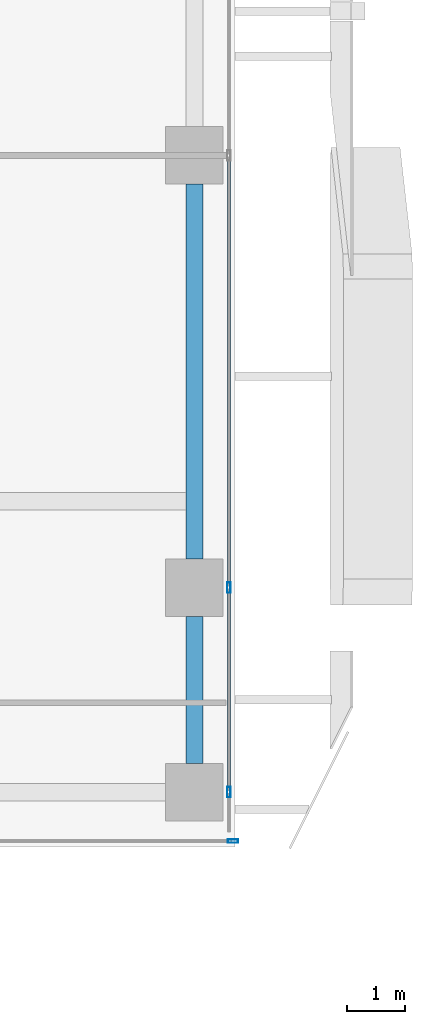
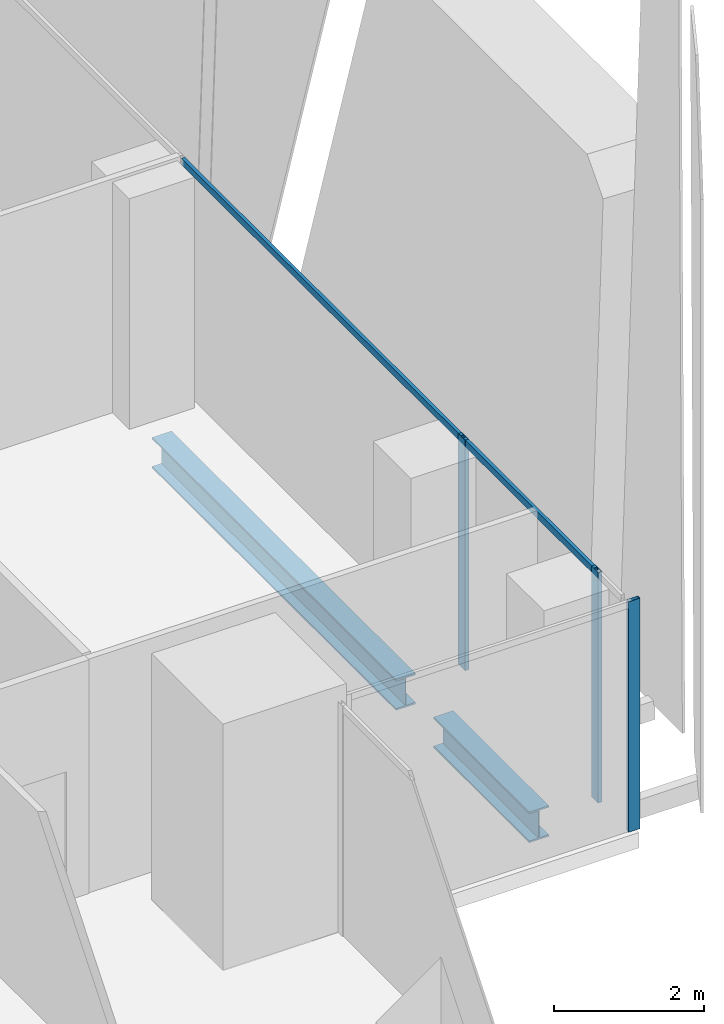
# One storey, part 11 of 35: 5 members, 2 beams, 2 elements without a shape of their own.
"""IFC4 building model written with IfcOpenShell, lengths in metres."""

from ifc_helpers import new_model, si_unit, direction, frame, origin, origin_2d, place, context, subcontext, project, spatial, hollow_rectangle, i_section, extrude, source, transform, mapped, material, material_profile, profile_set, type_object, element, aggregate, save


model = new_model("IFC4")

# Units and contexts
model_context = context("Model", 3, precision=1e-05, world=origin(), true_north=direction((0.0, 1.0)))
body_context = subcontext(model_context, "Body", "Model", "MODEL_VIEW")
ifc_project = project(units=[si_unit("LENGTHUNIT", "METRE"), si_unit("AREAUNIT", "SQUARE_METRE"), si_unit("VOLUMEUNIT", "CUBIC_METRE"), si_unit("PLANEANGLEUNIT", "RADIAN"), si_unit("MASSUNIT", "GRAM", prefix="KILO")], contexts=[model_context])

# Site, building, storey
site_placement = place(None, origin())
site = spatial("IfcSite", under=ifc_project, at=site_placement, CompositionType="ELEMENT")
building_placement = place(site_placement, origin())
building = spatial("IfcBuilding", under=site, at=building_placement, Name="Khomas Fold Tower", CompositionType="ELEMENT")
storey_placement = place(building_placement, frame((0.0, 0.0, 188.699951171875)))
storey = spatial("IfcBuildingStorey", under=building, at=storey_placement, Name="L41", CompositionType="ELEMENT", Elevation=188.699951171875)

# Beams
ifc_material_1 = material(Name="Steel S355", Category="steel")
ifc_material_profile_1 = material_profile(ifc_material_1, i_section(OverallWidth=0.300048828125, OverallDepth=0.5, WebThickness=0.014404296875, FlangeThickness=0.028076171875, at=origin_2d()), Name="HE 500 B")
ifc_profile_set_1 = profile_set([ifc_material_profile_1], Name="Steel S355")
beam_type = type_object("IfcBeamType", Name="HE 500 B spandrel SB3", PredefinedType="SPANDREL", material=ifc_profile_set_1)
shared_shape_1 = source(origin(), body_context, "Body", "SweptSolid", [
    extrude(i_section(OverallWidth=0.300048828125, OverallDepth=0.5, WebThickness=0.014404296875, FlangeThickness=0.028076171875, at=origin_2d()), origin(), (0.0, 0.0, 1.0), 2.550048828125),
])
beam_1_placement = place(storey_placement, frame((50.300048828125, 8.949951171875, -0.5), z_axis=(0.0, 1.0, 0.0), x_axis=(-1.0, 0.0, 0.0)))
element("IfcBeam", 1, at=beam_1_placement, inside=storey, type_object=beam_type, Name="SB3", PredefinedType="SPANDREL", context=body_context, shape_type="MappedRepresentation", body=[
    mapped(shared_shape_1, transform((0.0, 0.0, 0.0))),
])
shared_shape_2 = source(origin(), body_context, "Body", "SweptSolid", [
    extrude(i_section(OverallWidth=0.300048828125, OverallDepth=0.5, WebThickness=0.014404296875, FlangeThickness=0.028076171875, at=origin_2d()), origin(), (0.0, 0.0, 1.0), 6.5),
])
beam_2_placement = place(storey_placement, frame((50.300048828125, 12.5, -0.5), z_axis=(0.0, 1.0, 0.0), x_axis=(-1.0, 0.0, 0.0)))
element("IfcBeam", 2, at=beam_2_placement, inside=storey, type_object=beam_type, Name="SB3", PredefinedType="SPANDREL", context=body_context, shape_type="MappedRepresentation", body=[
    mapped(shared_shape_2, transform((0.0, 0.0, 0.0))),
])

# Curtain wall, member
ifc_material_2 = material(Name="Aluminium framed double glazing", Category="aluminium")
curtain_wall_type = type_object("IfcCurtainWallType", Name="SK-Unitised clear-glass wall, office floors CW2", PredefinedType="NOTDEFINED", material=ifc_material_2)
curtain_wall_1_placement = place(storey_placement, origin())
curtain_wall_1 = element("IfcCurtainWall", 3, at=curtain_wall_1_placement, inside=storey, type_object=curtain_wall_type, Name="CW2 corner return L41 02", PredefinedType="NOTDEFINED")
ifc_material_3 = material(Name="Aluminium", Category="aluminium")
ifc_material_profile_2 = material_profile(ifc_material_3, hollow_rectangle(XDim=0.06005859375, YDim=0.179931640625, WallThickness=0.00390625, at=origin_2d()), Name="SK-Unitised clear-glass wall, office floors mullion CW2-M")
ifc_profile_set_2 = profile_set([ifc_material_profile_2], Name="Aluminium")
member_type_1 = type_object("IfcMemberType", Name="SK-Unitised clear-glass wall, office floors mullion CW2-M", PredefinedType="MULLION", material=ifc_profile_set_2)
shared_shape_3 = source(origin(), body_context, "Body", "SweptSolid", [
    extrude(hollow_rectangle(XDim=0.06005859375, YDim=0.179931640625, WallThickness=0.00390625, at=origin_2d()), origin(), (0.0, 0.0, 1.0), 3.75),
])
member_1_placement = place(storey_placement, frame((50.969970703125, 7.60009765625, 0.0), z_axis=(0.0, 0.0, 1.0), x_axis=(0.0, 1.0, 0.0)))
member_1 = element("IfcMember", 4, at=member_1_placement, type_object=member_type_1, Name="CW2 mullion 2", PredefinedType="MULLION", context=body_context, shape_type="MappedRepresentation", body=[
    mapped(shared_shape_3, transform((0.0, 0.0, 0.0))),
])
aggregate(curtain_wall_1, [member_1])

# Curtain wall, members
curtain_wall_2_placement = place(storey_placement, origin())
curtain_wall_2 = element("IfcCurtainWall", 5, at=curtain_wall_2_placement, inside=storey, type_object=curtain_wall_type, Name="CW2 run L41 03-0", PredefinedType="NOTDEFINED")
member_2_placement = place(storey_placement, frame((50.89990234375, 8.449951171875, 0.0), z_axis=(0.0, 0.0, 1.0), x_axis=(-1.0, 0.0, 0.0)))
member_2 = element("IfcMember", 6, at=member_2_placement, type_object=member_type_1, Name="CW2 mullion 2", PredefinedType="MULLION", context=body_context, shape_type="MappedRepresentation", body=[
    mapped(shared_shape_3, transform((0.0, 0.0, 0.0))),
])
member_3_placement = place(storey_placement, frame((50.89990234375, 12.0, 0.0), z_axis=(0.0, 0.0, 1.0), x_axis=(-1.0, 0.0, 0.0)))
member_3 = element("IfcMember", 7, at=member_3_placement, type_object=member_type_1, Name="CW2 mullion 3", PredefinedType="MULLION", context=body_context, shape_type="MappedRepresentation", body=[
    mapped(shared_shape_3, transform((0.0, 0.0, 0.0))),
])
ifc_material_4 = material(Name="Aluminium", Category="aluminium")
ifc_material_profile_3 = material_profile(ifc_material_4, hollow_rectangle(XDim=0.050048828125, YDim=0.110107421875, WallThickness=0.00390625, at=origin_2d()), Name="SK-Unitised clear-glass wall, office floors transom CW2-T")
ifc_profile_set_3 = profile_set([ifc_material_profile_3], Name="Aluminium")
member_type_2 = type_object("IfcMemberType", Name="SK-Unitised clear-glass wall, office floors transom CW2-T", PredefinedType="USERDEFINED", material=ifc_profile_set_3)
shared_shape_4 = source(origin(), body_context, "Body", "SweptSolid", [
    extrude(hollow_rectangle(XDim=0.050048828125, YDim=0.110107421875, WallThickness=0.00390625, at=origin_2d()), origin(), (0.0, 0.0, 1.0), 3.489990234375),
])
member_4_placement = place(storey_placement, frame((50.89990234375, 8.47998046875, 3.695068359375), z_axis=(0.0, 1.0, 0.0), x_axis=(-1.0, 0.0, 0.0)))
member_4 = element("IfcMember", 8, at=member_4_placement, type_object=member_type_2, Name="CW2 transom 2", ObjectType="TRANSOM", PredefinedType="USERDEFINED", context=body_context, shape_type="MappedRepresentation", body=[
    mapped(shared_shape_4, transform((0.0, 0.0, 0.0))),
])
shared_shape_5 = source(origin(), body_context, "Body", "SweptSolid", [
    extrude(hollow_rectangle(XDim=0.050048828125, YDim=0.110107421875, WallThickness=0.00390625, at=origin_2d()), origin(), (0.0, 0.0, 1.0), 7.43994140625),
])
member_5_placement = place(storey_placement, frame((50.89990234375, 12.030029296875, 3.695068359375), z_axis=(0.0, 1.0, 0.0), x_axis=(-1.0, 0.0, 0.0)))
member_5 = element("IfcMember", 9, at=member_5_placement, type_object=member_type_2, Name="CW2 transom 3", ObjectType="TRANSOM", PredefinedType="USERDEFINED", context=body_context, shape_type="MappedRepresentation", body=[
    mapped(shared_shape_5, transform((0.0, 0.0, 0.0))),
])
aggregate(curtain_wall_2, [member_2, member_3, member_4, member_5])

save(model, "model.ifc")
